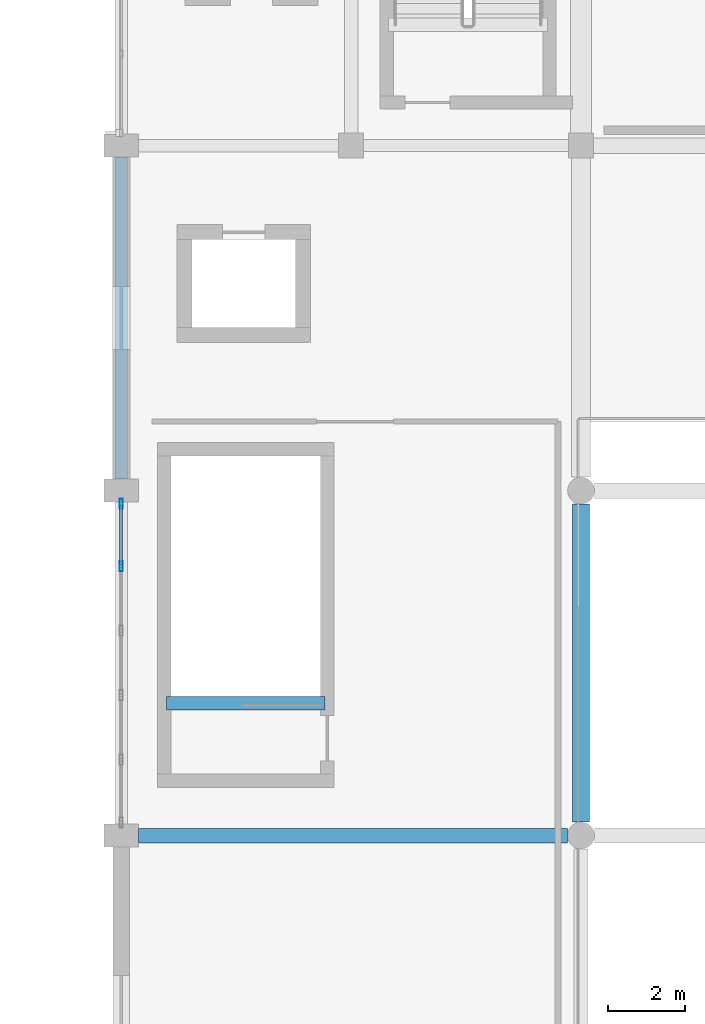
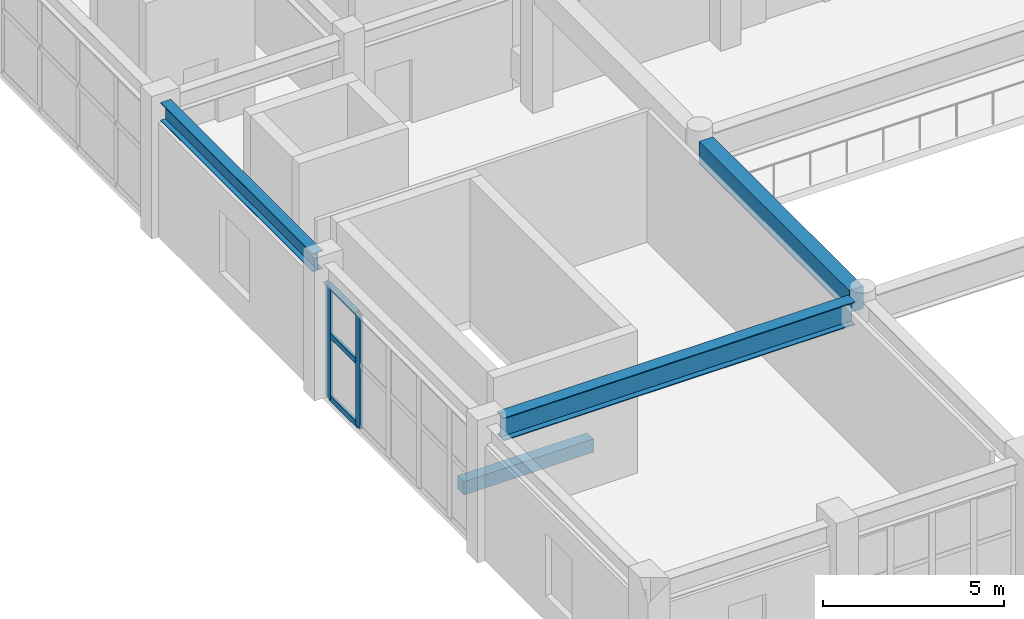
# One storey, part 5 of 80: 5 members, 4 beams, 1 element without a shape of its own.
"""IFC4 building model written with IfcOpenShell, lengths in metres."""

from ifc_helpers import new_model, si_unit, direction, frame, origin, origin_2d, place, context, subcontext, project, spatial, rectangle, hollow_rectangle, i_section, extrude, material, layer, layer_set, material_profile, profile_set, type_object, element, aggregate, save


model = new_model("IFC4")

# Units and contexts
model_context = context("Model", 3, precision=1e-05, world=origin(), true_north=direction((0.0, 1.0)))
body_context = subcontext(model_context, "Body", "Model", "MODEL_VIEW")
ifc_project = project(units=[si_unit("LENGTHUNIT", "METRE"), si_unit("AREAUNIT", "SQUARE_METRE"), si_unit("VOLUMEUNIT", "CUBIC_METRE"), si_unit("PLANEANGLEUNIT", "RADIAN"), si_unit("MASSUNIT", "GRAM", prefix="KILO")], contexts=[model_context])

# Site, building, storey
site_placement = place(None, origin())
site = spatial("IfcSite", under=ifc_project, at=site_placement, CompositionType="ELEMENT")
building_placement = place(site_placement, origin())
building = spatial("IfcBuilding", under=site, at=building_placement, Name="Vaelkrest Opera House", CompositionType="ELEMENT")
storey_placement = place(building_placement, frame((0.0, 0.0, 15.0)))
storey = spatial("IfcBuildingStorey", under=building, at=storey_placement, Name="L03", CompositionType="ELEMENT", Elevation=15.0)

# Beams
ifc_material_1 = material(Name="Concrete C50/60", Category="concrete")
ifc_material_profile_1 = material_profile(ifc_material_1, rectangle(XDim=0.449951171875, YDim=0.75, at=origin_2d()), Name="RCB450X750")
ifc_profile_set_1 = profile_set([ifc_material_profile_1], Name="Concrete C50/60")
beam_type_1 = type_object("IfcBeamType", Name="B02", PredefinedType="BEAM", material=ifc_profile_set_1)
beam_1_placement = place(storey_placement, frame((-18.0, -46.449951171875, 4.1298828125), z_axis=(0.0, 1.0, 0.0), x_axis=(-1.0, 0.0, 0.0)))
element("IfcBeam", 1, at=beam_1_placement, inside=storey, type_object=beam_type_1, Name="Beam BM-V1-L03-0487", PredefinedType="BEAM", context=body_context, shape_type="SweptSolid", body=[
    extrude(rectangle(XDim=0.449951171875, YDim=0.75, at=origin_2d()), origin(), (0.0, 0.0, 1.0), 8.300048828125),
])
ifc_material_2 = material(Name="Steel A992 Gr50", Category="steel")
ifc_material_profile_2 = material_profile(ifc_material_2, i_section(OverallWidth=0.381103515625, OverallDepth=0.77294921875, WebThickness=0.0166015625, FlangeThickness=0.027099609375, at=origin_2d()), Name="W30X173")
ifc_profile_set_2 = profile_set([ifc_material_profile_2], Name="Steel A992 Gr50")
beam_type_2 = type_object("IfcBeamType", Name="B11", PredefinedType="BEAM", material=ifc_profile_set_2)
beam_2_placement = place(storey_placement, frame((-29.550048828125, -46.800048828125, 4.118408203125), z_axis=(1.0, 0.0, 0.0), x_axis=(0.0, 1.0, 0.0)))
element("IfcBeam", 2, at=beam_2_placement, inside=storey, type_object=beam_type_2, Name="Beam BM-V1-L03-0431", PredefinedType="BEAM", context=body_context, shape_type="SweptSolid", body=[
    extrude(i_section(OverallWidth=0.381103515625, OverallDepth=0.77294921875, WebThickness=0.0166015625, FlangeThickness=0.027099609375, at=origin_2d()), origin(), (0.0, 0.0, 1.0), 11.199951171875),
])

# Curtain wall, members
ifc_material_3 = material(Name="Dark bronze anodized aluminium", Category="aluminium")
ifc_layer = layer(ifc_material_3, 0.2099609375)
ifc_layer_set = layer_set([ifc_layer], Name="Dark bronze anodized aluminium")
curtain_wall_type = type_object("IfcCurtainWallType", Name="CW04", PredefinedType="NOTDEFINED", material=ifc_layer_set)
curtain_wall_placement = place(storey_placement, origin())
curtain_wall = element("IfcCurtainWall", 3, at=curtain_wall_placement, inside=storey, type_object=curtain_wall_type, Name="Curtain wall CW-L03-047", PredefinedType="NOTDEFINED")
ifc_material_profile_3 = material_profile(ifc_material_3, hollow_rectangle(XDim=0.080078125, YDim=0.260009765625, WallThickness=0.0048828125, at=origin_2d()), Name="CWM80X260")
ifc_profile_set_3 = profile_set([ifc_material_profile_3], Name="Dark bronze anodized aluminium")
member_type_1 = type_object("IfcMemberType", Name="CWM04", PredefinedType="MULLION", material=ifc_profile_set_3)
member_1_placement = place(storey_placement, frame((-30.0, -39.77880859375, 0.0), z_axis=(0.0, 0.0, 1.0), x_axis=(-1.0, 0.0, 0.0)))
member_1 = element("IfcMember", 4, at=member_1_placement, type_object=member_type_1, Name="CW04 mullion 5", PredefinedType="MULLION", context=body_context, shape_type="SweptSolid", body=[
    extrude(hollow_rectangle(XDim=0.080078125, YDim=0.260009765625, WallThickness=0.0048828125, at=origin_2d()), origin(), (0.0, 0.0, 1.0), 3.8291015625),
])
member_2_placement = place(storey_placement, frame((-30.0, -38.137939453125, 0.0), z_axis=(0.0, 0.0, 1.0), x_axis=(-1.0, 0.0, 0.0)))
member_2 = element("IfcMember", 5, at=member_2_placement, type_object=member_type_1, Name="CW04 mullion 6", PredefinedType="MULLION", context=body_context, shape_type="SweptSolid", body=[
    extrude(hollow_rectangle(XDim=0.080078125, YDim=0.260009765625, WallThickness=0.0048828125, at=origin_2d()), origin(), (0.0, 0.0, 1.0), 3.8291015625),
])
ifc_material_profile_4 = material_profile(ifc_material_3, hollow_rectangle(XDim=0.080078125, YDim=0.18994140625, WallThickness=0.0048828125, at=origin_2d()), Name="CWT80X190")
ifc_profile_set_4 = profile_set([ifc_material_profile_4], Name="Dark bronze anodized aluminium")
member_type_2 = type_object("IfcMemberType", Name="CWT04", PredefinedType="USERDEFINED", material=ifc_profile_set_4)
member_3_placement = place(storey_placement, frame((-30.0, -39.73876953125, 0.0400390625), z_axis=(0.0, 1.0, 0.0), x_axis=(-1.0, 0.0, 0.0)))
member_3 = element("IfcMember", 6, at=member_3_placement, type_object=member_type_2, Name="CW04 transom 5.1", ObjectType="TRANSOM", PredefinedType="USERDEFINED", context=body_context, shape_type="SweptSolid", body=[
    extrude(hollow_rectangle(XDim=0.080078125, YDim=0.18994140625, WallThickness=0.0048828125, at=origin_2d()), origin(), (0.0, 0.0, 1.0), 1.560791015625),
])
member_4_placement = place(storey_placement, frame((-30.0, -39.73876953125, 2.14990234375), z_axis=(0.0, 1.0, 0.0), x_axis=(-1.0, 0.0, 0.0)))
member_4 = element("IfcMember", 7, at=member_4_placement, type_object=member_type_2, Name="CW04 transom 5.2", ObjectType="TRANSOM", PredefinedType="USERDEFINED", context=body_context, shape_type="SweptSolid", body=[
    extrude(hollow_rectangle(XDim=0.080078125, YDim=0.18994140625, WallThickness=0.0048828125, at=origin_2d()), origin(), (0.0, 0.0, 1.0), 1.560791015625),
])
member_5_placement = place(storey_placement, frame((-30.0, -39.73876953125, 3.7890625), z_axis=(0.0, 1.0, 0.0), x_axis=(-1.0, 0.0, 0.0)))
member_5 = element("IfcMember", 8, at=member_5_placement, type_object=member_type_2, Name="CW04 transom 5.3", ObjectType="TRANSOM", PredefinedType="USERDEFINED", context=body_context, shape_type="SweptSolid", body=[
    extrude(hollow_rectangle(XDim=0.080078125, YDim=0.18994140625, WallThickness=0.0048828125, at=origin_2d()), origin(), (0.0, 0.0, 1.0), 1.560791015625),
])
aggregate(curtain_wall, [member_1, member_2, member_3, member_4, member_5])

# Beams
ifc_material_profile_5 = material_profile(ifc_material_1, rectangle(XDim=0.35009765625, YDim=0.449951171875, at=origin_2d()), Name="RCB350X450")
ifc_profile_set_5 = profile_set([ifc_material_profile_5], Name="Concrete C50/60")
beam_type_3 = type_object("IfcBeamType", Name="LN01", PredefinedType="LINTEL", material=ifc_profile_set_5)
beam_3_placement = place(storey_placement, frame((-28.820068359375, -43.35009765625, -0.22509765625), z_axis=(1.0, 0.0, 0.0), x_axis=(0.0, 1.0, 0.0)))
element("IfcBeam", 9, at=beam_3_placement, inside=storey, type_object=beam_type_3, Name="Stairwell trimmer beam ST03 L03", PredefinedType="LINTEL", context=body_context, shape_type="SweptSolid", body=[
    extrude(rectangle(XDim=0.35009765625, YDim=0.449951171875, at=origin_2d()), origin(), (0.0, 0.0, 1.0), 4.14013671875),
])
ifc_material_profile_6 = material_profile(ifc_material_2, i_section(OverallWidth=0.323974609375, OverallDepth=0.611083984375, WebThickness=0.0126953125, FlangeThickness=0.01904296875, at=origin_2d()), Name="W24X104")
ifc_profile_set_6 = profile_set([ifc_material_profile_6], Name="Steel A992 Gr50")
beam_type_4 = type_object("IfcBeamType", Name="SP01", PredefinedType="SPANDREL", material=ifc_profile_set_6)
beam_4_placement = place(storey_placement, frame((-30.0, -37.5, 4.199462890625), z_axis=(0.0, 1.0, 0.0), x_axis=(-1.0, 0.0, 0.0)))
element("IfcBeam", 10, at=beam_4_placement, inside=storey, type_object=beam_type_4, Name="Beam BM-V1-L03-0475", PredefinedType="SPANDREL", context=body_context, shape_type="SweptSolid", body=[
    extrude(i_section(OverallWidth=0.323974609375, OverallDepth=0.611083984375, WebThickness=0.0126953125, FlangeThickness=0.01904296875, at=origin_2d()), origin(), (0.0, 0.0, 1.0), 8.39990234375),
])

save(model, "model.ifc")
